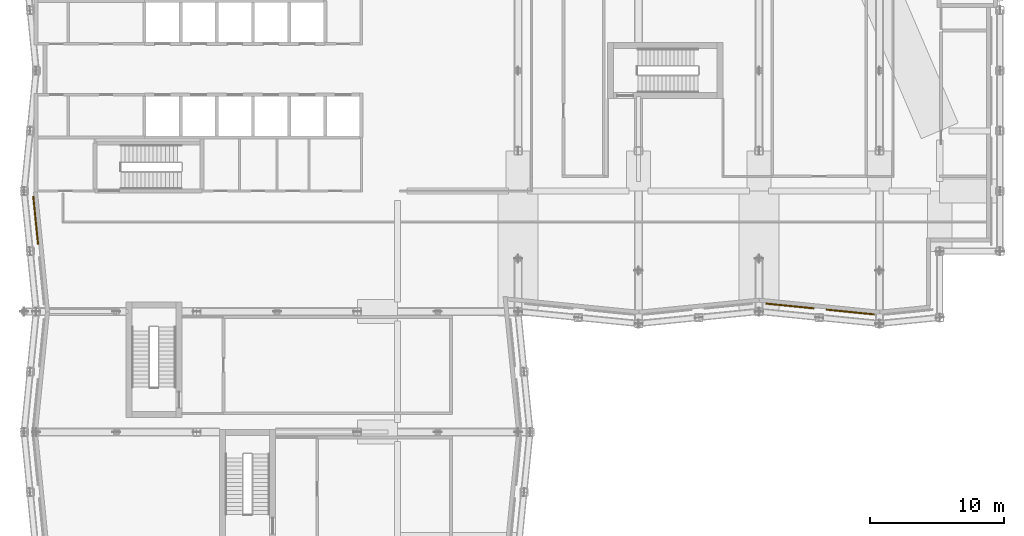
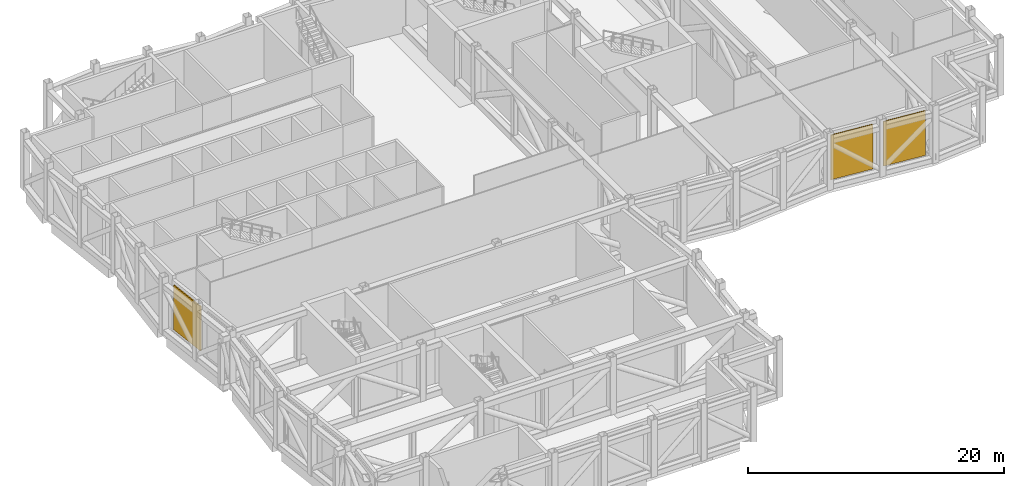
# One storey, part 20 of 22: 3 coverings.
"""IFC4 building model written with IfcOpenShell, lengths in metres."""

from ifc_helpers import new_model, si_unit, direction, frame, origin, origin_2d, place, context, subcontext, project, spatial, rectangle, extrude, material, layer, layer_set, type_object, element, save


model = new_model("IFC4")

# Units and contexts
model_context = context("Model", 3, precision=1e-05, world=origin(), true_north=direction((0.0, 1.0)))
body_context = subcontext(model_context, "Body", "Model", "MODEL_VIEW")
ifc_project = project(units=[si_unit("LENGTHUNIT", "METRE"), si_unit("AREAUNIT", "SQUARE_METRE"), si_unit("VOLUMEUNIT", "CUBIC_METRE"), si_unit("PLANEANGLEUNIT", "RADIAN"), si_unit("MASSUNIT", "GRAM", prefix="KILO")], contexts=[model_context])

# Site, building, storey
site_placement = place(None, origin())
site = spatial("IfcSite", under=ifc_project, at=site_placement, CompositionType="ELEMENT")
building_placement = place(site_placement, origin())
building = spatial("IfcBuilding", under=site, at=building_placement, Name="Brondeck Convention Tower", CompositionType="ELEMENT")
storey_placement = place(building_placement, frame((0.0, 0.0, 32.0)))
storey = spatial("IfcBuildingStorey", under=building, at=storey_placement, Name="L05", CompositionType="ELEMENT", Elevation=32.0)

# Coverings
ifc_material = material(Name="Aluminium, bronze anodised", Category="aluminium")
ifc_layer = layer(ifc_material, 0.10009765625)
ifc_layer_set = layer_set([ifc_layer], Name="Plant wall LOUVRE cladding")
covering_type = type_object("IfcCoveringType", Name="Plant wall LOUVRE cladding", PredefinedType="CLADDING", material=ifc_layer_set)
for number, where, z_axis, x_axis, name in (
    (1, (56.314697265625, 27.421875, 0.300048828125), (0.0, 0.0, 1.0), (0.995037178292, -0.0995038382, 0.0), "ENV-PW-L05-P0-A-S-04"),
    (2, (60.814697265625, 26.9716796875, 0.300048828125), (0.0, 0.0, 1.0), (0.995037178292, -0.0995038382, 0.0), "ENV-PW-L05-P0-A-S-05"),
    (3, (-0.0283203125, 33.814697265625, 0.300048828125), (0.0, 0.0, 1.0), (0.0995038382, -0.995037178292, 0.0), "ENV-PW-L05-P0-B-W-06"),
):
    element("IfcCovering", number, at=place(storey_placement, frame(where, z_axis=z_axis, x_axis=x_axis)), inside=storey, type_object=covering_type, Name=name, PredefinedType="CLADDING", context=body_context, shape_type="SweptSolid", body=[
        extrude(rectangle(XDim=3.602294921875, YDim=0.10009765625, at=origin_2d()), origin(), (0.0, 0.0, 1.0), 4.25),
    ])

save(model, "model.ifc")
